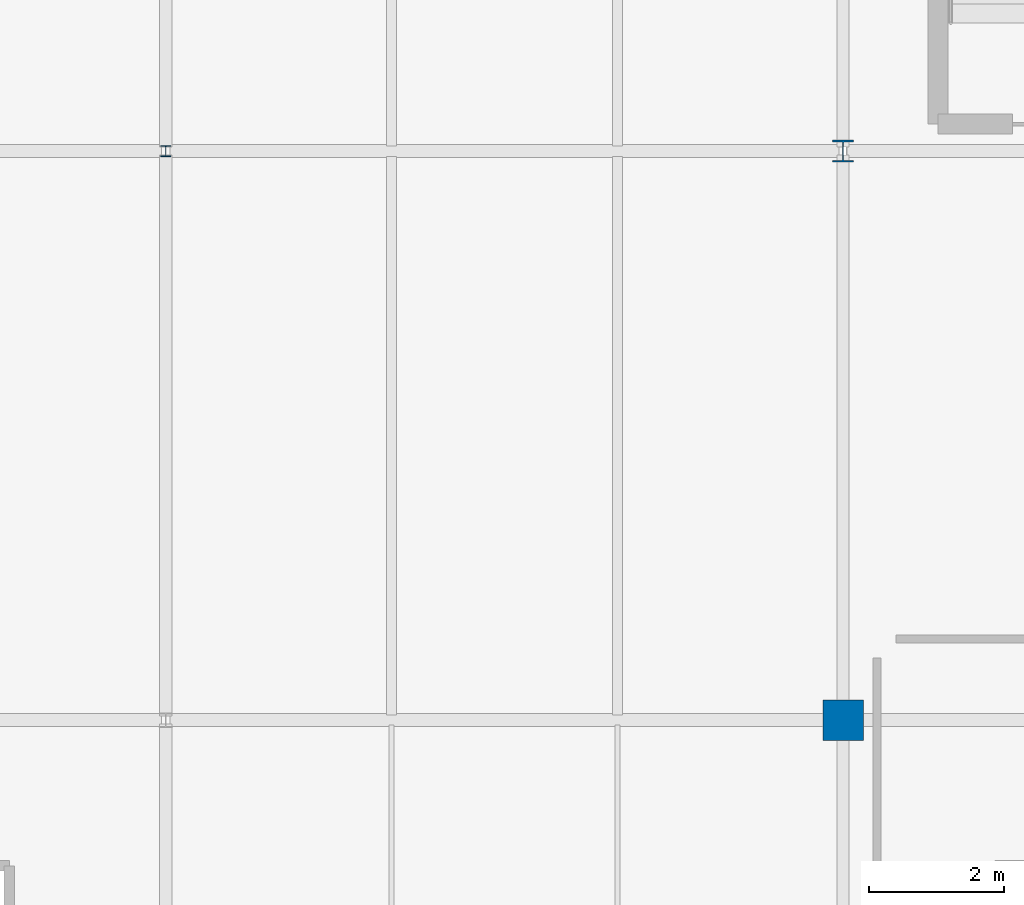
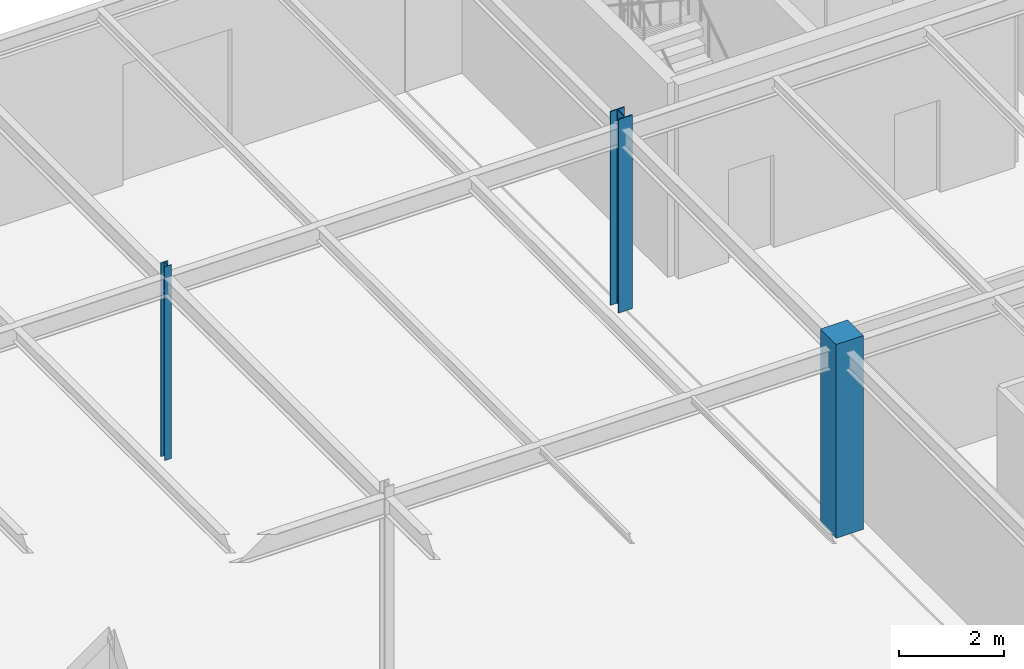
# One storey, part 25 of 119: 3 columns.
"""IFC4 building model written with IfcOpenShell, lengths in metres."""

from ifc_helpers import new_model, si_unit, derived_unit, direction, frame, origin, origin_2d_with_axis, place, context, subcontext, project, spatial, rectangle, i_section, extrude, material, material_profile, profile_set, type_object, element, save


model = new_model("IFC4")

# Units and contexts
model_context = context("Model", 3, precision=1e-05, world=origin(), true_north=direction((0.0, 1.0)))
body_context = subcontext(model_context, "Body", "Model", "MODEL_VIEW")
ifc_project = project(units=[si_unit("LENGTHUNIT", "METRE"), si_unit("AREAUNIT", "SQUARE_METRE"), si_unit("VOLUMEUNIT", "CUBIC_METRE"), si_unit("PLANEANGLEUNIT", "RADIAN"), si_unit("MASSUNIT", "GRAM", prefix="KILO"), derived_unit("THERMALTRANSMITTANCEUNIT", [(si_unit("POWERUNIT", "WATT"), 1), (si_unit("LENGTHUNIT", "METRE"), -2), (si_unit("THERMODYNAMICTEMPERATUREUNIT", "KELVIN"), -1)])], contexts=[model_context])

# Site, building, storey
site_placement = place(None, origin())
site = spatial("IfcSite", under=ifc_project, at=site_placement, CompositionType="ELEMENT")
building_placement = place(site_placement, origin())
building = spatial("IfcBuilding", under=site, at=building_placement, Name="Cinnabar Yard Market Hall", CompositionType="ELEMENT")
storey_placement = place(building_placement, origin())
storey = spatial("IfcBuildingStorey", under=building, at=storey_placement, Name="L00", CompositionType="ELEMENT", Elevation=0.0)

# Columns
ifc_material_1 = material(Name="Steel Grade 350 (350 MPa)", Category="steel")
ifc_material_profile_1 = material_profile(ifc_material_1, i_section(OverallWidth=0.311279296875, OverallDepth=0.3271484375, WebThickness=0.015625, FlangeThickness=0.02490234375, FilletRadius=0.0166015625, at=origin_2d_with_axis()), Name="310UC158")
ifc_profile_set_1 = profile_set([ifc_material_profile_1], Name="Steel Grade 350 (350 MPa)")
column_type_1 = type_object("IfcColumnType", Name="COL-C06", PredefinedType="COLUMN", material=ifc_profile_set_1)
column_1_placement = place(storey_placement, frame((126.0, 129.60009765625, 0.0), z_axis=(0.0, 0.0, 1.0), x_axis=(1.0, 0.0, 0.0)))
element("IfcColumn", 1, at=column_1_placement, inside=storey, type_object=column_type_1, Name="Wing Column V3-07-04 L00", PredefinedType="COLUMN", context=body_context, shape_type="SweptSolid", body=[
    extrude(i_section(OverallWidth=0.311279296875, OverallDepth=0.3271484375, WebThickness=0.015625, FlangeThickness=0.02490234375, FilletRadius=0.0166015625, at=origin_2d_with_axis()), origin(), (0.0, 0.0, 1.0), 4.5),
])
ifc_material_2 = material(Name="Steel Grade 300 (300 MPa)", Category="steel")
ifc_material_profile_2 = material_profile(ifc_material_2, i_section(OverallWidth=0.15283203125, OverallDepth=0.15771484375, WebThickness=0.006591796875, FlangeThickness=0.009521484375, FilletRadius=0.0087890625, at=origin_2d_with_axis()), Name="150UC30.0")
ifc_profile_set_2 = profile_set([ifc_material_profile_2], Name="Steel Grade 300 (300 MPa)")
column_type_2 = type_object("IfcColumnType", Name="COL-C18", PredefinedType="COLUMN", material=ifc_profile_set_2)
column_2_placement = place(storey_placement, frame((116.0, 129.60009765625, 0.0), z_axis=(0.0, 0.0, 1.0), x_axis=(1.0, 0.0, 0.0)))
element("IfcColumn", 2, at=column_2_placement, inside=storey, type_object=column_type_2, Name="Wing Column V3-06-04 L00", PredefinedType="COLUMN", context=body_context, shape_type="SweptSolid", body=[
    extrude(i_section(OverallWidth=0.15283203125, OverallDepth=0.15771484375, WebThickness=0.006591796875, FlangeThickness=0.009521484375, FilletRadius=0.0087890625, at=origin_2d_with_axis()), origin(), (0.0, 0.0, 1.0), 4.5),
])
ifc_material_3 = material(Name="Concrete 40 MPa", Category="concrete")
ifc_material_profile_3 = material_profile(ifc_material_3, rectangle(XDim=0.60009765625, YDim=0.60009765625, at=origin_2d_with_axis()), Name="RC-600x600")
ifc_profile_set_3 = profile_set([ifc_material_profile_3], Name="Concrete 40 MPa")
column_type_3 = type_object("IfcColumnType", Name="COL-RC2", PredefinedType="COLUMN", material=ifc_profile_set_3)
column_3_placement = place(storey_placement, frame((126.0, 121.199951171875, 0.0), z_axis=(0.0, 0.0, 1.0), x_axis=(1.0, 0.0, 0.0)))
element("IfcColumn", 3, at=column_3_placement, inside=storey, type_object=column_type_3, Name="Wing Column V3-07-03 L00", PredefinedType="COLUMN", context=body_context, shape_type="SweptSolid", body=[
    extrude(rectangle(XDim=0.60009765625, YDim=0.60009765625, at=origin_2d_with_axis()), origin(), (0.0, 0.0, 1.0), 4.5),
])

save(model, "model.ifc")
